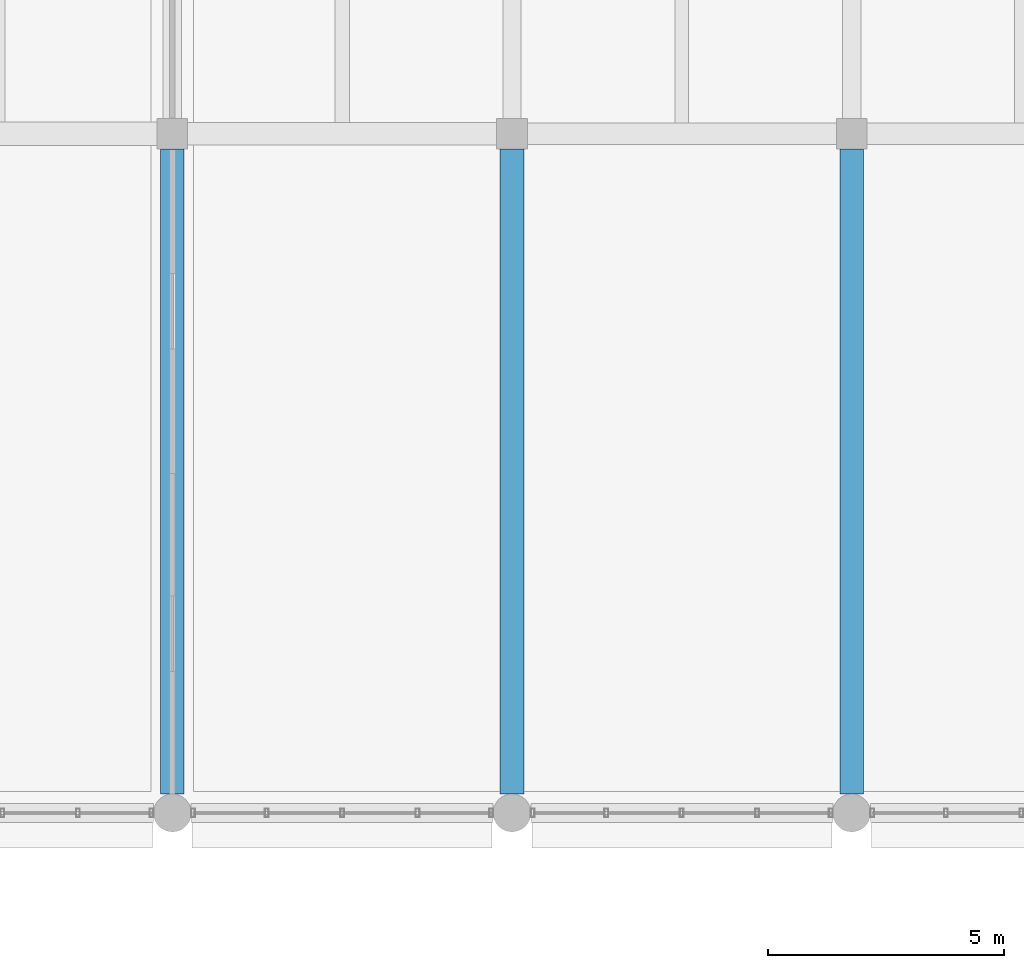
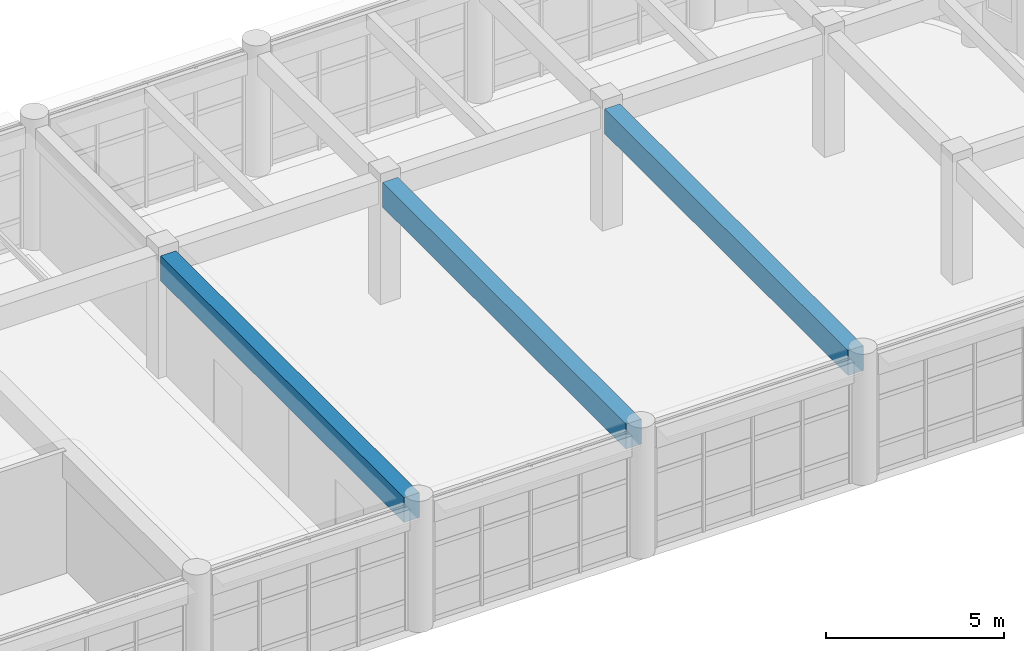
# One storey, part 38 of 171: 3 beams.
"""IFC4 building model written with IfcOpenShell, lengths in metres."""

from ifc_helpers import new_model, si_unit, direction, frame, origin, origin_2d, place, context, subcontext, project, spatial, rectangle, extrude, material, material_profile, profile_set, type_object, element, save


model = new_model("IFC4")

# Units and contexts
model_context = context("Model", 3, precision=1e-05, world=origin(), true_north=direction((0.0, 1.0)))
body_context = subcontext(model_context, "Body", "Model", "MODEL_VIEW")
ifc_project = project(units=[si_unit("LENGTHUNIT", "METRE"), si_unit("AREAUNIT", "SQUARE_METRE"), si_unit("VOLUMEUNIT", "CUBIC_METRE"), si_unit("PLANEANGLEUNIT", "RADIAN"), si_unit("MASSUNIT", "GRAM", prefix="KILO")], contexts=[model_context])

# Site, building, storey
site_placement = place(None, origin())
site = spatial("IfcSite", under=ifc_project, at=site_placement, CompositionType="ELEMENT")
building_placement = place(site_placement, origin())
building = spatial("IfcBuilding", under=site, at=building_placement, Name="Thalmaran Polytechnic", CompositionType="ELEMENT")
storey_placement = place(building_placement, frame((0.0, 0.0, 5.39990234375)))
storey = spatial("IfcBuildingStorey", under=building, at=storey_placement, Name="L01", CompositionType="ELEMENT", Elevation=5.39990234375)

# Beams
ifc_material = material(Name="Concrete C40/50", Category="concrete")
ifc_material_profile = material_profile(ifc_material, rectangle(XDim=0.5, YDim=0.85009765625, at=origin_2d()), Name="RC 500x850")
ifc_profile_set = profile_set([ifc_material_profile], Name="Concrete C40/50")
beam_type = type_object("IfcBeamType", Name="BM-RC01", PredefinedType="BEAM", material=ifc_profile_set)
for number, where, z_axis, x_axis, name in (
    (1, (64.800048828125, 50.800048828125, 3.76513671875), (0.0, 1.0, 0.0), (-1.0, 0.0, 0.0), "Refectory Clear-Span Girder G09"),
    (2, (72.0, 50.800048828125, 3.76513671875), (0.0, 1.0, 0.0), (-1.0, 0.0, 0.0), "Refectory Clear-Span Girder G10"),
    (3, (79.199951171875, 50.800048828125, 3.76513671875), (0.0, 1.0, 0.0), (-1.0, 0.0, 0.0), "Refectory Clear-Span Girder G11"),
):
    element("IfcBeam", number, at=place(storey_placement, frame(where, z_axis=z_axis, x_axis=x_axis)), inside=storey, type_object=beam_type, Name=name, PredefinedType="BEAM", context=body_context, shape_type="SweptSolid", body=[
        extrude(rectangle(XDim=0.5, YDim=0.85009765625, at=origin_2d()), origin(), (0.0, 0.0, 1.0), 13.675048828125),
    ])

save(model, "model.ifc")
